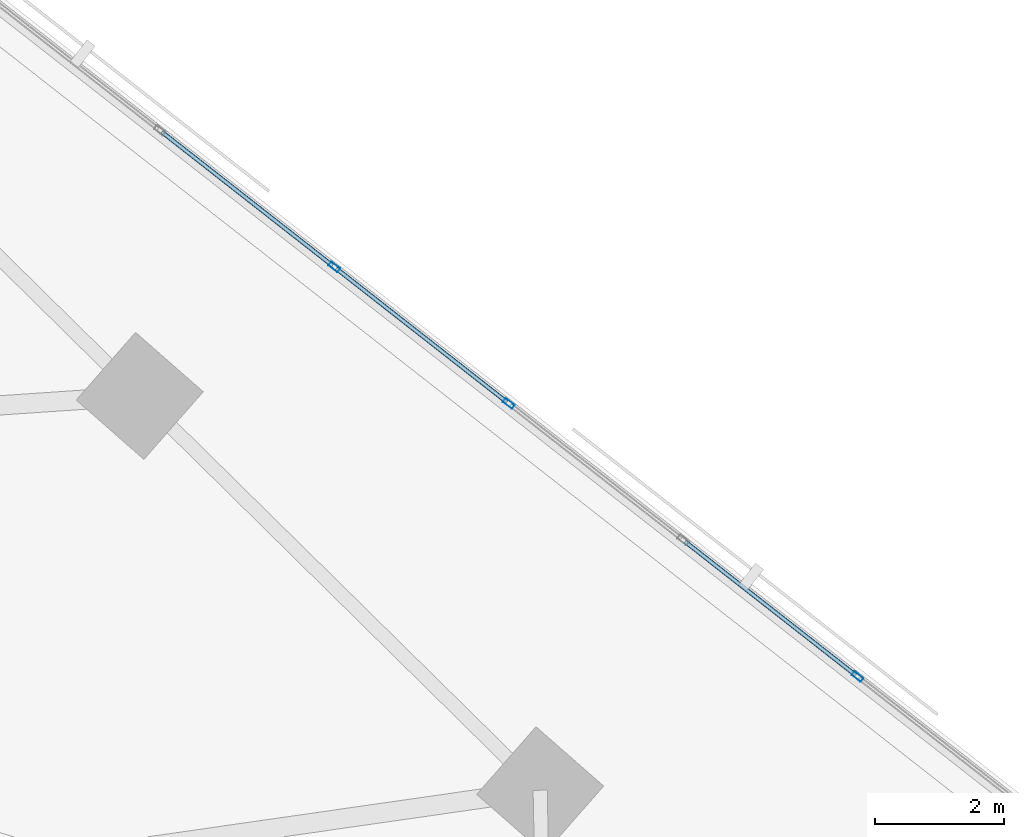
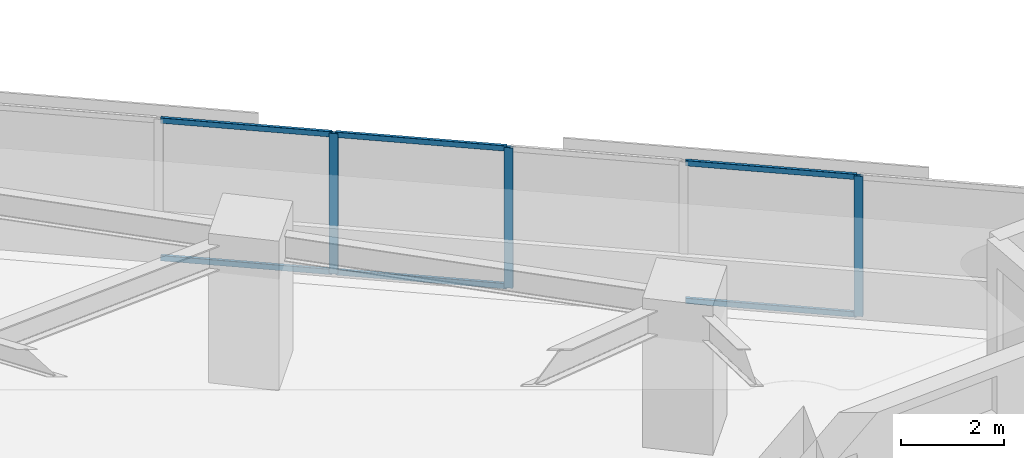
# One storey, part 5 of 16: 9 members, 1 element without a shape of its own.
"""IFC4 building model written with IfcOpenShell, lengths in metres."""

from ifc_helpers import new_model, si_unit, direction, frame, origin, origin_2d, place, context, subcontext, project, spatial, hollow_rectangle, extrude, material, material_profile, profile_set, type_object, element, aggregate, save


model = new_model("IFC4")

# Units and contexts
model_context = context("Model", 3, precision=1e-05, world=origin(), true_north=direction((0.0, 1.0)))
body_context = subcontext(model_context, "Body", "Model", "MODEL_VIEW")
ifc_project = project(units=[si_unit("LENGTHUNIT", "METRE"), si_unit("AREAUNIT", "SQUARE_METRE"), si_unit("VOLUMEUNIT", "CUBIC_METRE"), si_unit("PLANEANGLEUNIT", "RADIAN"), si_unit("MASSUNIT", "GRAM", prefix="KILO")], contexts=[model_context])

# Site, building, storey
site_placement = place(None, origin())
site = spatial("IfcSite", under=ifc_project, at=site_placement, CompositionType="ELEMENT")
building_placement = place(site_placement, origin())
building = spatial("IfcBuilding", under=site, at=building_placement, Name="Narakoshi Arena Tower", CompositionType="ELEMENT")
storey_placement = place(building_placement, frame((0.0, 0.0, 77.699951171875)))
storey = spatial("IfcBuildingStorey", under=building, at=storey_placement, Name="L20", CompositionType="ELEMENT", Elevation=77.699951171875)

# Curtain wall, members
ifc_material = material(Name="Anodised bronze aluminium 6063-T6", Category="aluminium")
curtain_wall_type = type_object("IfcCurtainWallType", Name="CW-HYP-LOW", PredefinedType="NOTDEFINED", material=ifc_material)
curtain_wall_placement = place(storey_placement, origin())
curtain_wall = element("IfcCurtainWall", 1, at=curtain_wall_placement, inside=storey, type_object=curtain_wall_type, Name="L20 Folded Hypotenuse Curtain Wall 1-1", PredefinedType="NOTDEFINED")
ifc_material_profile_1 = material_profile(ifc_material, hollow_rectangle(XDim=0.074951171875, YDim=0.179931640625, WallThickness=0.00390625, OuterFilletRadius=0.0048828125, at=origin_2d()), Name="MUL180x75x4")
ifc_profile_set_1 = profile_set([ifc_material_profile_1], Name="Anodised bronze aluminium 6063-T6")
member_type_1 = type_object("IfcMemberType", Name="MEM-MUL-180", PredefinedType="MULLION", material=ifc_profile_set_1)
member_1_placement = place(storey_placement, frame((118.150634765625, 40.435791015625, 0.0), z_axis=(0.0, 0.0, 1.0), x_axis=(-0.616458234641, -0.787387607817, 0.0)))
member_1 = element("IfcMember", 2, at=member_1_placement, type_object=member_type_1, Name="CW-01 mullion 2", PredefinedType="MULLION", context=body_context, shape_type="SweptSolid", body=[
    extrude(hollow_rectangle(XDim=0.074951171875, YDim=0.179931640625, WallThickness=0.00390625, OuterFilletRadius=0.0048828125, at=origin_2d()), origin(), (0.0, 0.0, 1.0), 3.340087890625),
])
member_2_placement = place(storey_placement, frame((112.7275390625, 44.681640625, 0.0), z_axis=(0.0, 0.0, 1.0), x_axis=(-0.616458234641, -0.787387607817, 0.0)))
member_2 = element("IfcMember", 3, at=member_2_placement, type_object=member_type_1, Name="CW-01 mullion 4", PredefinedType="MULLION", context=body_context, shape_type="SweptSolid", body=[
    extrude(hollow_rectangle(XDim=0.074951171875, YDim=0.179931640625, WallThickness=0.00390625, OuterFilletRadius=0.0048828125, at=origin_2d()), origin(), (0.0, 0.0, 1.0), 3.340087890625),
])
member_3_placement = place(storey_placement, frame((110.015869140625, 46.8046875, 0.0), z_axis=(0.0, 0.0, 1.0), x_axis=(-0.616458234641, -0.787387607817, 0.0)))
member_3 = element("IfcMember", 4, at=member_3_placement, type_object=member_type_1, Name="CW-01 mullion 5", PredefinedType="MULLION", context=body_context, shape_type="SweptSolid", body=[
    extrude(hollow_rectangle(XDim=0.074951171875, YDim=0.179931640625, WallThickness=0.00390625, OuterFilletRadius=0.0048828125, at=origin_2d()), origin(), (0.0, 0.0, 1.0), 3.340087890625),
])
ifc_material_profile_2 = material_profile(ifc_material, hollow_rectangle(XDim=0.06494140625, YDim=0.1298828125, WallThickness=0.00390625, OuterFilletRadius=0.0048828125, at=origin_2d()), Name="TRN130x65x4")
ifc_profile_set_2 = profile_set([ifc_material_profile_2], Name="Anodised bronze aluminium 6063-T6")
member_type_2 = type_object("IfcMemberType", Name="MEM-TRN-130", PredefinedType="USERDEFINED", material=ifc_profile_set_2)
member_4_placement = place(storey_placement, frame((118.12109375, 40.458984375, 0.032470703125), z_axis=(-0.787400998112, 0.616441131149, 0.0), x_axis=(-0.616441131149, -0.787400998112, 0.0)))
member_4 = element("IfcMember", 5, at=member_4_placement, type_object=member_type_2, Name="CW-01 transom 2.1", ObjectType="TRANSOM", PredefinedType="USERDEFINED", context=body_context, shape_type="SweptSolid", body=[
    extrude(hollow_rectangle(XDim=0.06494140625, YDim=0.1298828125, WallThickness=0.00390625, OuterFilletRadius=0.0048828125, at=origin_2d()), origin(), (0.0, 0.0, 1.0), 3.368896484375),
])
member_5_placement = place(storey_placement, frame((118.12109375, 40.458984375, 3.3076171875), z_axis=(-0.787400998112, 0.616441131149, 0.0), x_axis=(-0.616441131149, -0.787400998112, 0.0)))
member_5 = element("IfcMember", 6, at=member_5_placement, type_object=member_type_2, Name="CW-01 transom 2.2", ObjectType="TRANSOM", PredefinedType="USERDEFINED", context=body_context, shape_type="SweptSolid", body=[
    extrude(hollow_rectangle(XDim=0.06494140625, YDim=0.1298828125, WallThickness=0.00390625, OuterFilletRadius=0.0048828125, at=origin_2d()), origin(), (0.0, 0.0, 1.0), 3.368896484375),
])
member_6_placement = place(storey_placement, frame((112.697998046875, 44.704833984375, 0.032470703125), z_axis=(-0.787400998112, 0.616441131149, 0.0), x_axis=(-0.616441131149, -0.787400998112, 0.0)))
member_6 = element("IfcMember", 7, at=member_6_placement, type_object=member_type_2, Name="CW-01 transom 4.1", ObjectType="TRANSOM", PredefinedType="USERDEFINED", context=body_context, shape_type="SweptSolid", body=[
    extrude(hollow_rectangle(XDim=0.06494140625, YDim=0.1298828125, WallThickness=0.00390625, OuterFilletRadius=0.0048828125, at=origin_2d()), origin(), (0.0, 0.0, 1.0), 3.368896484375),
])
member_7_placement = place(storey_placement, frame((112.697998046875, 44.704833984375, 3.3076171875), z_axis=(-0.787400998112, 0.616441131149, 0.0), x_axis=(-0.616441131149, -0.787400998112, 0.0)))
member_7 = element("IfcMember", 8, at=member_7_placement, type_object=member_type_2, Name="CW-01 transom 4.2", ObjectType="TRANSOM", PredefinedType="USERDEFINED", context=body_context, shape_type="SweptSolid", body=[
    extrude(hollow_rectangle(XDim=0.06494140625, YDim=0.1298828125, WallThickness=0.00390625, OuterFilletRadius=0.0048828125, at=origin_2d()), origin(), (0.0, 0.0, 1.0), 3.368896484375),
])
member_8_placement = place(storey_placement, frame((109.986328125, 46.827880859375, 0.032470703125), z_axis=(-0.787373456673, 0.616476309137, 0.0), x_axis=(-0.616476309137, -0.787373456673, 0.0)))
member_8 = element("IfcMember", 9, at=member_8_placement, type_object=member_type_2, Name="CW-01 transom 5.1", ObjectType="TRANSOM", PredefinedType="USERDEFINED", context=body_context, shape_type="SweptSolid", body=[
    extrude(hollow_rectangle(XDim=0.06494140625, YDim=0.1298828125, WallThickness=0.00390625, OuterFilletRadius=0.0048828125, at=origin_2d()), origin(), (0.0, 0.0, 1.0), 3.36865234375),
])
member_9_placement = place(storey_placement, frame((109.986328125, 46.827880859375, 3.3076171875), z_axis=(-0.787373456673, 0.616476309137, 0.0), x_axis=(-0.616476309137, -0.787373456673, 0.0)))
member_9 = element("IfcMember", 10, at=member_9_placement, type_object=member_type_2, Name="CW-01 transom 5.2", ObjectType="TRANSOM", PredefinedType="USERDEFINED", context=body_context, shape_type="SweptSolid", body=[
    extrude(hollow_rectangle(XDim=0.06494140625, YDim=0.1298828125, WallThickness=0.00390625, OuterFilletRadius=0.0048828125, at=origin_2d()), origin(), (0.0, 0.0, 1.0), 3.36865234375),
])
aggregate(curtain_wall, [member_1, member_2, member_3, member_4, member_5, member_6, member_7, member_8, member_9])

save(model, "model.ifc")
